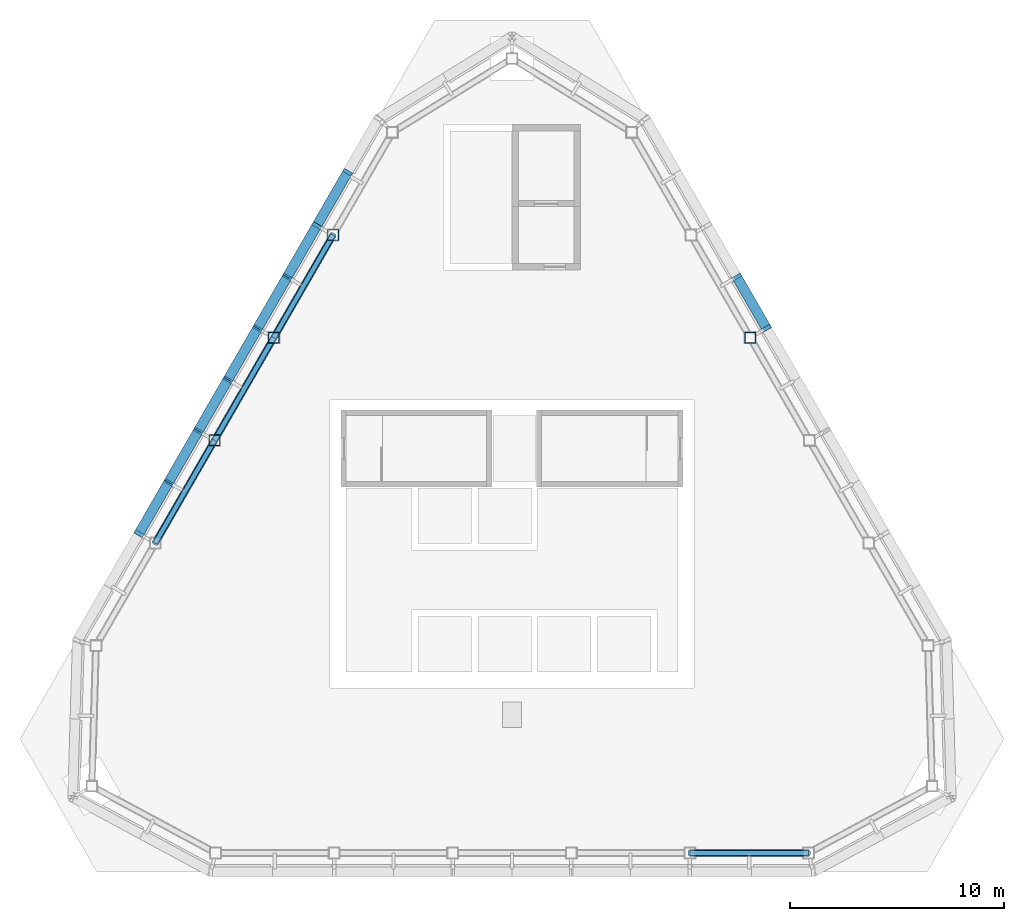
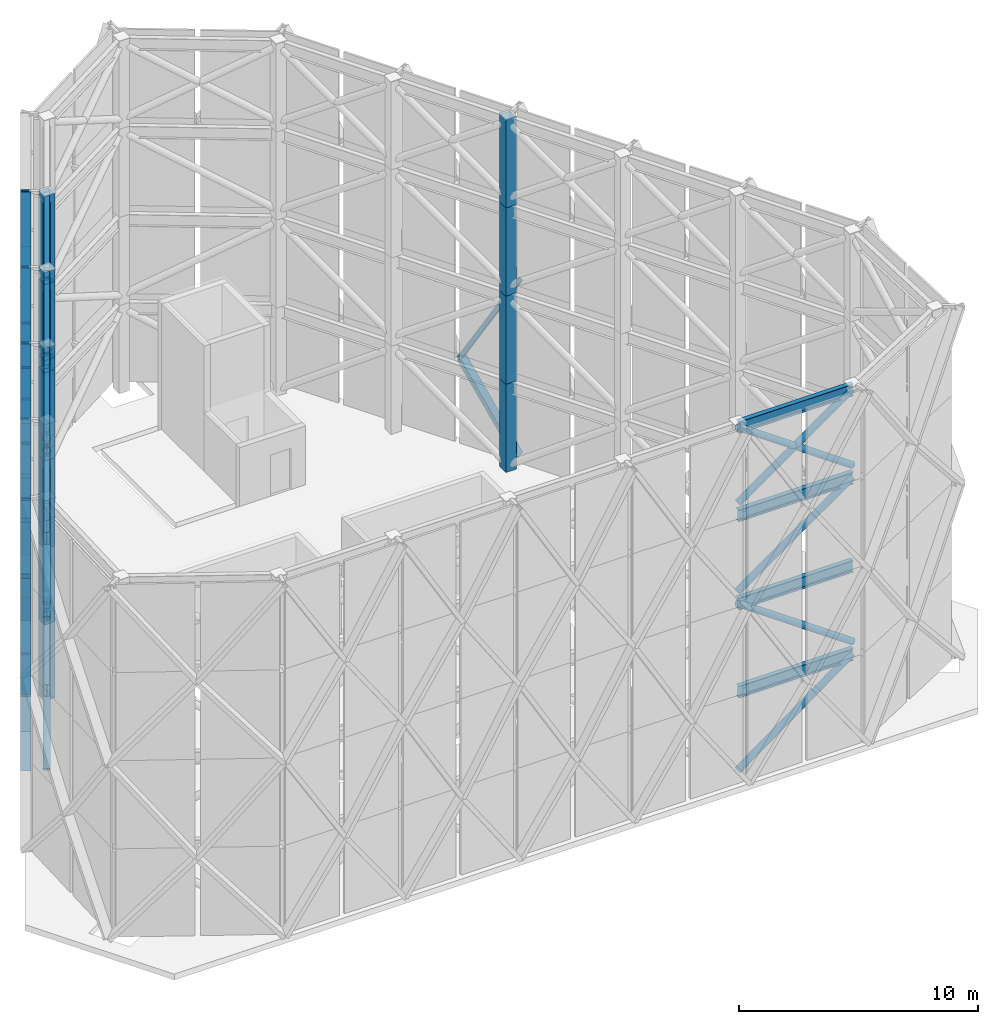
# One storey, part 3 of 12: 66 members, 16 beams.
"""IFC4 building model written with IfcOpenShell, lengths in metres."""

from ifc_helpers import new_model, si_unit, direction, frame, origin, origin_2d, place, context, subcontext, project, spatial, hollow_rectangle, hollow_circle, i_section, extrude, material, material_profile, profile_set, type_object, element, save


model = new_model("IFC4")

# Units and contexts
model_context = context("Model", 3, precision=1e-05, world=origin(), true_north=direction((0.0, 1.0)))
body_context = subcontext(model_context, "Body", "Model", "MODEL_VIEW")
ifc_project = project(units=[si_unit("LENGTHUNIT", "METRE"), si_unit("AREAUNIT", "SQUARE_METRE"), si_unit("VOLUMEUNIT", "CUBIC_METRE"), si_unit("PLANEANGLEUNIT", "RADIAN"), si_unit("MASSUNIT", "GRAM", prefix="KILO")], contexts=[model_context])

# Site, building, storey
site_placement = place(None, origin())
site = spatial("IfcSite", under=ifc_project, at=site_placement, CompositionType="ELEMENT")
building_placement = place(site_placement, origin())
building = spatial("IfcBuilding", under=site, at=building_placement, Name="Firuza Gate Tower and Library", CompositionType="ELEMENT")
storey_placement = place(building_placement, frame((0.0, 0.0, 339.60009765625)))
storey = spatial("IfcBuildingStorey", under=building, at=storey_placement, Name="Roof", CompositionType="ELEMENT", Elevation=339.60009765625)

# Members
ifc_material_1 = material(Name="Steel S355", Category="steel")
ifc_material_profile_1 = material_profile(ifc_material_1, hollow_rectangle(XDim=0.457275390625, YDim=0.203125, WallThickness=0.01171875, at=origin_2d()))
ifc_profile_set_1 = profile_set([ifc_material_profile_1], Name="Steel S355")
member_type_1 = type_object("IfcMemberType", Name="Crown lattice bar HSS203x457x13", PredefinedType="BRACE", material=ifc_profile_set_1)
member_1_placement = place(storey_placement, frame((86.895751953125, 85.068115234375, 0.099853515625), z_axis=(-0.280077823985, 0.485103080972, 0.828390857834), x_axis=(-0.86602275259, -0.500004591975, 0.0)))
element("IfcMember", 1, at=member_1_placement, inside=storey, type_object=member_type_1, Name="Crown lattice bar 13.1a", PredefinedType="BRACE", context=body_context, shape_type="SweptSolid", body=[
    extrude(hollow_rectangle(XDim=0.457275390625, YDim=0.203125, WallThickness=0.01171875, at=origin_2d()), origin(), (0.0, 0.0, 1.0), 4.94775390625),
])
member_2_placement = place(storey_placement, frame((86.895751953125, 85.068115234375, 9.0), z_axis=(-0.249955196291, 0.432929798228, -0.866079782499), x_axis=(-0.86602275259, -0.500004591975, 0.0)))
element("IfcMember", 2, at=member_2_placement, inside=storey, type_object=member_type_1, Name="Crown lattice bar 13.2a", PredefinedType="BRACE", context=body_context, shape_type="SweptSolid", body=[
    extrude(hollow_rectangle(XDim=0.457275390625, YDim=0.203125, WallThickness=0.01171875, at=origin_2d()), origin(), (0.0, 0.0, 1.0), 5.5439453125),
])
member_3_placement = place(storey_placement, frame((67.31689453125, 92.364501953125, 4.198486328125), z_axis=(-0.287622027122, -0.498161545874, -0.817990613471), x_axis=(0.866019137337, -0.500010853648, 0.0)))
element("IfcMember", 3, at=member_3_placement, inside=storey, type_object=member_type_1, Name="Crown lattice bar 17.1b", PredefinedType="BRACE", context=body_context, shape_type="SweptSolid", body=[
    extrude(hollow_rectangle(XDim=0.457275390625, YDim=0.203125, WallThickness=0.01171875, at=origin_2d()), origin(), (0.0, 0.0, 1.0), 5.010498046875),
])
member_4_placement = place(storey_placement, frame((67.31689453125, 92.364501953125, 4.198486328125), z_axis=(-0.257342311156, -0.445717057303, 0.85738628384), x_axis=(0.866019137337, -0.500010853648, 0.0)))
element("IfcMember", 4, at=member_4_placement, inside=storey, type_object=member_type_1, Name="Crown lattice bar 17.2b", PredefinedType="BRACE", context=body_context, shape_type="SweptSolid", body=[
    extrude(hollow_rectangle(XDim=0.457275390625, YDim=0.203125, WallThickness=0.01171875, at=origin_2d()), origin(), (0.0, 0.0, 1.0), 5.60009765625),
])
member_5_placement = place(storey_placement, frame((67.31689453125, 92.364501953125, 13.198486328125), z_axis=(-0.282990630091, -0.490139963079, -0.82442654001), x_axis=(0.866019137337, -0.500010853648, 0.0)))
element("IfcMember", 5, at=member_5_placement, inside=storey, type_object=member_type_1, Name="Crown lattice bar 17.3b", PredefinedType="BRACE", context=body_context, shape_type="SweptSolid", body=[
    extrude(hollow_rectangle(XDim=0.457275390625, YDim=0.203125, WallThickness=0.01171875, at=origin_2d()), origin(), (0.0, 0.0, 1.0), 5.092529296875),
])
member_6_placement = place(storey_placement, frame((67.31689453125, 92.364501953125, 13.198486328125), z_axis=(-0.257342311156, -0.445717057303, 0.85738628384), x_axis=(0.866019137337, -0.500010853648, 0.0)))
element("IfcMember", 6, at=member_6_placement, inside=storey, type_object=member_type_1, Name="Crown lattice bar 17.4b", PredefinedType="BRACE", context=body_context, shape_type="SweptSolid", body=[
    extrude(hollow_rectangle(XDim=0.457275390625, YDim=0.203125, WallThickness=0.01171875, at=origin_2d()), origin(), (0.0, 0.0, 1.0), 5.60009765625),
])
for number, where, z_axis, x_axis, name in (
    (7, (65.875732421875, 89.868408203125, 0.099853515625), (-0.280077823985, -0.485103080972, 0.828390857834), (0.86602275259, -0.500004591975, 0.0), "Crown lattice bar 18.1a"),
    (8, (64.489990234375, 87.46826171875, 4.198486328125), (-0.280077823985, -0.485103080972, -0.828390857834), (0.86602275259, -0.500004591975, 0.0), "Crown lattice bar 18.1b"),
):
    element("IfcMember", number, at=place(storey_placement, frame(where, z_axis=z_axis, x_axis=x_axis)), inside=storey, type_object=member_type_1, Name=name, PredefinedType="BRACE", context=body_context, shape_type="SweptSolid", body=[
        extrude(hollow_rectangle(XDim=0.457275390625, YDim=0.203125, WallThickness=0.01171875, at=origin_2d()), origin(), (0.0, 0.0, 1.0), 4.94775390625),
    ])
for number, where, z_axis, x_axis, name in (
    (9, (65.875732421875, 89.868408203125, 9.0), (-0.249955196291, -0.432929798228, -0.866079782499), (0.86602275259, -0.500004591975, 0.0), "Crown lattice bar 18.2a"),
    (10, (64.489990234375, 87.46826171875, 4.198486328125), (-0.249955196291, -0.432929798228, 0.866079782499), (0.86602275259, -0.500004591975, 0.0), "Crown lattice bar 18.2b"),
):
    element("IfcMember", number, at=place(storey_placement, frame(where, z_axis=z_axis, x_axis=x_axis)), inside=storey, type_object=member_type_1, Name=name, PredefinedType="BRACE", context=body_context, shape_type="SweptSolid", body=[
        extrude(hollow_rectangle(XDim=0.457275390625, YDim=0.203125, WallThickness=0.01171875, at=origin_2d()), origin(), (0.0, 0.0, 1.0), 5.5439453125),
    ])
for number, where, z_axis, x_axis, name in (
    (11, (65.875732421875, 89.868408203125, 9.0), (-0.275455337483, -0.477096797533, 0.834567554387), (0.86602275259, -0.500004591975, 0.0), "Crown lattice bar 18.3a"),
    (12, (64.489990234375, 87.46826171875, 13.198486328125), (-0.275455337483, -0.477096797533, -0.834567554387), (0.86602275259, -0.500004591975, 0.0), "Crown lattice bar 18.3b"),
):
    element("IfcMember", number, at=place(storey_placement, frame(where, z_axis=z_axis, x_axis=x_axis)), inside=storey, type_object=member_type_1, Name=name, PredefinedType="BRACE", context=body_context, shape_type="SweptSolid", body=[
        extrude(hollow_rectangle(XDim=0.457275390625, YDim=0.203125, WallThickness=0.01171875, at=origin_2d()), origin(), (0.0, 0.0, 1.0), 5.03076171875),
    ])
for number, where, z_axis, x_axis, name in (
    (13, (65.875732421875, 89.868408203125, 18.0), (-0.249955196291, -0.432929798228, -0.866079782499), (0.86602275259, -0.500004591975, 0.0), "Crown lattice bar 18.4a"),
    (14, (64.489990234375, 87.46826171875, 13.198486328125), (-0.249955196291, -0.432929798228, 0.866079782499), (0.86602275259, -0.500004591975, 0.0), "Crown lattice bar 18.4b"),
):
    element("IfcMember", number, at=place(storey_placement, frame(where, z_axis=z_axis, x_axis=x_axis)), inside=storey, type_object=member_type_1, Name=name, PredefinedType="BRACE", context=body_context, shape_type="SweptSolid", body=[
        extrude(hollow_rectangle(XDim=0.457275390625, YDim=0.203125, WallThickness=0.01171875, at=origin_2d()), origin(), (0.0, 0.0, 1.0), 5.5439453125),
    ])
for number, where, z_axis, x_axis, name in (
    (15, (63.104248046875, 85.068115234375, 0.099853515625), (-0.280077823985, -0.485103080972, 0.828390857834), (0.86602275259, -0.500004591975, 0.0), "Crown lattice bar 19.1a"),
    (16, (61.718505859375, 82.66796875, 4.198486328125), (-0.280077823985, -0.485103080972, -0.828390857834), (0.86602275259, -0.500004591975, 0.0), "Crown lattice bar 19.1b"),
):
    element("IfcMember", number, at=place(storey_placement, frame(where, z_axis=z_axis, x_axis=x_axis)), inside=storey, type_object=member_type_1, Name=name, PredefinedType="BRACE", context=body_context, shape_type="SweptSolid", body=[
        extrude(hollow_rectangle(XDim=0.457275390625, YDim=0.203125, WallThickness=0.01171875, at=origin_2d()), origin(), (0.0, 0.0, 1.0), 4.94775390625),
    ])
for number, where, z_axis, x_axis, name in (
    (17, (63.104248046875, 85.068115234375, 9.0), (-0.249955196291, -0.432929798228, -0.866079782499), (0.86602275259, -0.500004591975, 0.0), "Crown lattice bar 19.2a"),
    (18, (61.718505859375, 82.66796875, 4.198486328125), (-0.249955196291, -0.432929798228, 0.866079782499), (0.86602275259, -0.500004591975, 0.0), "Crown lattice bar 19.2b"),
):
    element("IfcMember", number, at=place(storey_placement, frame(where, z_axis=z_axis, x_axis=x_axis)), inside=storey, type_object=member_type_1, Name=name, PredefinedType="BRACE", context=body_context, shape_type="SweptSolid", body=[
        extrude(hollow_rectangle(XDim=0.457275390625, YDim=0.203125, WallThickness=0.01171875, at=origin_2d()), origin(), (0.0, 0.0, 1.0), 5.5439453125),
    ])
for number, where, z_axis, x_axis, name in (
    (19, (63.104248046875, 85.068115234375, 9.0), (-0.275455337483, -0.477096797533, 0.834567554387), (0.86602275259, -0.500004591975, 0.0), "Crown lattice bar 19.3a"),
    (20, (61.718505859375, 82.66796875, 13.198486328125), (-0.275455337483, -0.477096797533, -0.834567554387), (0.86602275259, -0.500004591975, 0.0), "Crown lattice bar 19.3b"),
):
    element("IfcMember", number, at=place(storey_placement, frame(where, z_axis=z_axis, x_axis=x_axis)), inside=storey, type_object=member_type_1, Name=name, PredefinedType="BRACE", context=body_context, shape_type="SweptSolid", body=[
        extrude(hollow_rectangle(XDim=0.457275390625, YDim=0.203125, WallThickness=0.01171875, at=origin_2d()), origin(), (0.0, 0.0, 1.0), 5.03076171875),
    ])
for number, where, z_axis, x_axis, name in (
    (21, (63.104248046875, 85.068115234375, 18.0), (-0.249955196291, -0.432929798228, -0.866079782499), (0.86602275259, -0.500004591975, 0.0), "Crown lattice bar 19.4a"),
    (22, (61.718505859375, 82.66796875, 13.198486328125), (-0.249955196291, -0.432929798228, 0.866079782499), (0.86602275259, -0.500004591975, 0.0), "Crown lattice bar 19.4b"),
):
    element("IfcMember", number, at=place(storey_placement, frame(where, z_axis=z_axis, x_axis=x_axis)), inside=storey, type_object=member_type_1, Name=name, PredefinedType="BRACE", context=body_context, shape_type="SweptSolid", body=[
        extrude(hollow_rectangle(XDim=0.457275390625, YDim=0.203125, WallThickness=0.01171875, at=origin_2d()), origin(), (0.0, 0.0, 1.0), 5.5439453125),
    ])
member_7_placement = place(storey_placement, frame((60.332763671875, 80.267822265625, 0.099853515625), z_axis=(-0.280084528118, -0.485065347322, 0.828410686759), x_axis=(0.866000726912, -0.500042739161, 0.0)))
element("IfcMember", 23, at=member_7_placement, inside=storey, type_object=member_type_1, Name="Crown lattice bar 20.1a", PredefinedType="BRACE", context=body_context, shape_type="SweptSolid", body=[
    extrude(hollow_rectangle(XDim=0.457275390625, YDim=0.203125, WallThickness=0.01171875, at=origin_2d()), origin(), (0.0, 0.0, 1.0), 4.947509765625),
])
member_8_placement = place(storey_placement, frame((58.947021484375, 77.867919921875, 4.198486328125), z_axis=(-0.280077823985, -0.485103080972, -0.828390857834), x_axis=(0.86602275259, -0.500004591975, 0.0)))
element("IfcMember", 24, at=member_8_placement, inside=storey, type_object=member_type_1, Name="Crown lattice bar 20.1b", PredefinedType="BRACE", context=body_context, shape_type="SweptSolid", body=[
    extrude(hollow_rectangle(XDim=0.457275390625, YDim=0.203125, WallThickness=0.01171875, at=origin_2d()), origin(), (0.0, 0.0, 1.0), 4.94775390625),
])
for number, where, z_axis, x_axis, name in (
    (25, (60.332763671875, 80.267822265625, 9.0), (-0.249959961586, -0.432894013811, -0.86609629396), (0.866000726912, -0.500042739161, 0.0), "Crown lattice bar 20.2a"),
    (26, (58.947021484375, 77.867919921875, 4.198486328125), (-0.249955196291, -0.432929798228, 0.866079782499), (0.86602275259, -0.500004591975, 0.0), "Crown lattice bar 20.2b"),
):
    element("IfcMember", number, at=place(storey_placement, frame(where, z_axis=z_axis, x_axis=x_axis)), inside=storey, type_object=member_type_1, Name=name, PredefinedType="BRACE", context=body_context, shape_type="SweptSolid", body=[
        extrude(hollow_rectangle(XDim=0.457275390625, YDim=0.203125, WallThickness=0.01171875, at=origin_2d()), origin(), (0.0, 0.0, 1.0), 5.5439453125),
    ])
member_9_placement = place(storey_placement, frame((60.332763671875, 80.267822265625, 9.0), z_axis=(-0.275461715116, -0.477059312824, 0.834586877175), x_axis=(0.866000726912, -0.500042739161, 0.0)))
element("IfcMember", 27, at=member_9_placement, inside=storey, type_object=member_type_1, Name="Crown lattice bar 20.3a", PredefinedType="BRACE", context=body_context, shape_type="SweptSolid", body=[
    extrude(hollow_rectangle(XDim=0.457275390625, YDim=0.203125, WallThickness=0.01171875, at=origin_2d()), origin(), (0.0, 0.0, 1.0), 5.030517578125),
])
member_10_placement = place(storey_placement, frame((58.947021484375, 77.867919921875, 13.198486328125), z_axis=(-0.275455337483, -0.477096797533, -0.834567554387), x_axis=(0.86602275259, -0.500004591975, 0.0)))
element("IfcMember", 28, at=member_10_placement, inside=storey, type_object=member_type_1, Name="Crown lattice bar 20.3b", PredefinedType="BRACE", context=body_context, shape_type="SweptSolid", body=[
    extrude(hollow_rectangle(XDim=0.457275390625, YDim=0.203125, WallThickness=0.01171875, at=origin_2d()), origin(), (0.0, 0.0, 1.0), 5.03076171875),
])
for number, where, z_axis, x_axis, name in (
    (29, (60.332763671875, 80.267822265625, 18.0), (-0.249959961586, -0.432894013811, -0.86609629396), (0.866000726912, -0.500042739161, 0.0), "Crown lattice bar 20.4a"),
    (30, (58.947021484375, 77.867919921875, 13.198486328125), (-0.249955196291, -0.432929798228, 0.866079782499), (0.86602275259, -0.500004591975, 0.0), "Crown lattice bar 20.4b"),
):
    element("IfcMember", number, at=place(storey_placement, frame(where, z_axis=z_axis, x_axis=x_axis)), inside=storey, type_object=member_type_1, Name=name, PredefinedType="BRACE", context=body_context, shape_type="SweptSolid", body=[
        extrude(hollow_rectangle(XDim=0.457275390625, YDim=0.203125, WallThickness=0.01171875, at=origin_2d()), origin(), (0.0, 0.0, 1.0), 5.5439453125),
    ])
ifc_material_2 = material(Name="Steel S355", Category="steel")
ifc_material_profile_2 = material_profile(ifc_material_2, hollow_circle(Radius=0.161865234375, WallThickness=0.01171875, at=origin_2d()))
ifc_profile_set_2 = profile_set([ifc_material_profile_2], Name="Steel S355")
member_type_2 = type_object("IfcMemberType", Name="HSS324x13 CROWN FRAME brace", PredefinedType="BRACE", material=ifc_profile_set_2)
for number, where, z_axis, x_axis, name in (
    (31, (83.314208984375, 60.54248046875, 0.161865234375), (0.808363326322, 0.0, 0.588683898758), (0.0, 1.0, 0.0), "CROWN FRAME brace tier 1 7"),
    (32, (63.865234375, 84.62890625, 0.161865234375), (0.404154299995, 0.700068879086, 0.588695903103), (-0.866041824761, 0.499971556956, 0.0), "CROWN FRAME brace tier 1 18"),
    (33, (63.865234375, 84.62890625, 0.161865234375), (-0.40418408875, -0.700058804881, 0.588687431589), (0.86602275259, -0.500004591975, 0.0), "CROWN FRAME brace tier 1 19"),
    (34, (58.322265625, 75.0283203125, 0.161865234375), (0.40418408875, 0.700058804881, 0.588687431589), (-0.86602275259, 0.500004591975, 0.0), "CROWN FRAME brace tier 1 20"),
):
    element("IfcMember", number, at=place(storey_placement, frame(where, z_axis=z_axis, x_axis=x_axis)), inside=storey, type_object=member_type_2, Name=name, PredefinedType="BRACE", context=body_context, shape_type="SweptSolid", body=[
        extrude(hollow_circle(Radius=0.161865234375, WallThickness=0.01171875, at=origin_2d()), origin(), (0.0, 0.0, 1.0), 6.85693359375),
    ])
member_11_placement = place(storey_placement, frame((88.857177734375, 60.54248046875, 4.801513671875), z_axis=(-0.818058825437, 0.0, 0.575134556538), x_axis=(0.0, -1.0, 0.0)))
element("IfcMember", 35, at=member_11_placement, inside=storey, type_object=member_type_2, Name="CROWN FRAME brace tier 2 7", PredefinedType="BRACE", context=body_context, shape_type="SweptSolid", body=[
    extrude(hollow_circle(Radius=0.161865234375, WallThickness=0.01171875, at=origin_2d()), origin(), (0.0, 0.0, 1.0), 6.77587890625),
])
for number, where, z_axis, x_axis, name in (
    (36, (66.636474609375, 89.42919921875, 4.801513671875), (-0.409001922628, -0.708465844658, 0.575146567615), (0.866041824761, -0.499971556956, 0.0), "CROWN FRAME brace tier 2 18"),
    (37, (61.09375, 79.82861328125, 4.801513671875), (0.409031926637, 0.708455403588, 0.575138091347), (-0.86602275259, 0.500004591975, 0.0), "CROWN FRAME brace tier 2 19"),
    (38, (61.09375, 79.82861328125, 4.801513671875), (-0.409031926637, -0.708455403588, 0.575138091347), (0.86602275259, -0.500004591975, 0.0), "CROWN FRAME brace tier 2 20"),
):
    element("IfcMember", number, at=place(storey_placement, frame(where, z_axis=z_axis, x_axis=x_axis)), inside=storey, type_object=member_type_2, Name=name, PredefinedType="BRACE", context=body_context, shape_type="SweptSolid", body=[
        extrude(hollow_circle(Radius=0.161865234375, WallThickness=0.01171875, at=origin_2d()), origin(), (0.0, 0.0, 1.0), 6.775634765625),
    ])
member_12_placement = place(storey_placement, frame((83.314208984375, 60.54248046875, 9.301513671875), z_axis=(0.818058825437, 0.0, 0.575134556538), x_axis=(0.0, 1.0, 0.0)))
element("IfcMember", 39, at=member_12_placement, inside=storey, type_object=member_type_2, Name="CROWN FRAME brace tier 3 7", PredefinedType="BRACE", context=body_context, shape_type="SweptSolid", body=[
    extrude(hollow_circle(Radius=0.161865234375, WallThickness=0.01171875, at=origin_2d()), origin(), (0.0, 0.0, 1.0), 6.77587890625),
])
for number, where, z_axis, x_axis, name in (
    (40, (63.865234375, 84.62890625, 9.301513671875), (0.409001922628, 0.708465844658, 0.575146567615), (-0.866041824761, 0.499971556956, 0.0), "CROWN FRAME brace tier 3 18"),
    (41, (63.865234375, 84.62890625, 9.301513671875), (-0.409031926637, -0.708455403588, 0.575138091347), (0.86602275259, -0.500004591975, 0.0), "CROWN FRAME brace tier 3 19"),
    (42, (58.322265625, 75.0283203125, 9.301513671875), (0.409031926637, 0.708455403588, 0.575138091347), (-0.86602275259, 0.500004591975, 0.0), "CROWN FRAME brace tier 3 20"),
):
    element("IfcMember", number, at=place(storey_placement, frame(where, z_axis=z_axis, x_axis=x_axis)), inside=storey, type_object=member_type_2, Name=name, PredefinedType="BRACE", context=body_context, shape_type="SweptSolid", body=[
        extrude(hollow_circle(Radius=0.161865234375, WallThickness=0.01171875, at=origin_2d()), origin(), (0.0, 0.0, 1.0), 6.775634765625),
    ])
for number, where, z_axis, x_axis, name in (
    (43, (88.857177734375, 60.54248046875, 13.801513671875), (-0.818058825437, 0.0, 0.575134556538), (0.0, -1.0, 0.0), "CROWN FRAME brace tier 4 7"),
    (44, (83.314208984375, 60.54248046875, 13.801513671875), (0.818058825437, 0.0, 0.575134556538), (0.0, 1.0, 0.0), "CROWN FRAME counter brace tier 4 7"),
):
    element("IfcMember", number, at=place(storey_placement, frame(where, z_axis=z_axis, x_axis=x_axis)), inside=storey, type_object=member_type_2, Name=name, PredefinedType="BRACE", context=body_context, shape_type="SweptSolid", body=[
        extrude(hollow_circle(Radius=0.161865234375, WallThickness=0.01171875, at=origin_2d()), origin(), (0.0, 0.0, 1.0), 6.77587890625),
    ])
for number, where, z_axis, x_axis, name in (
    (45, (66.636474609375, 89.42919921875, 13.801513671875), (-0.409001922628, -0.708465844658, 0.575146567615), (0.866041824761, -0.499971556956, 0.0), "CROWN FRAME brace tier 4 18"),
    (46, (63.865234375, 84.62890625, 13.801513671875), (0.409001922628, 0.708465844658, 0.575146567615), (-0.866041824761, 0.499971556956, 0.0), "CROWN FRAME counter brace tier 4 18"),
    (47, (61.09375, 79.82861328125, 13.801513671875), (0.409031926637, 0.708455403588, 0.575138091347), (-0.86602275259, 0.500004591975, 0.0), "CROWN FRAME brace tier 4 19"),
    (48, (63.865234375, 84.62890625, 13.801513671875), (-0.409031926637, -0.708455403588, 0.575138091347), (0.86602275259, -0.500004591975, 0.0), "CROWN FRAME counter brace tier 4 19"),
    (49, (61.09375, 79.82861328125, 13.801513671875), (-0.409031926637, -0.708455403588, 0.575138091347), (0.86602275259, -0.500004591975, 0.0), "CROWN FRAME brace tier 4 20"),
    (50, (58.322265625, 75.0283203125, 13.801513671875), (0.409031926637, 0.708455403588, 0.575138091347), (-0.86602275259, 0.500004591975, 0.0), "CROWN FRAME counter brace tier 4 20"),
):
    element("IfcMember", number, at=place(storey_placement, frame(where, z_axis=z_axis, x_axis=x_axis)), inside=storey, type_object=member_type_2, Name=name, PredefinedType="BRACE", context=body_context, shape_type="SweptSolid", body=[
        extrude(hollow_circle(Radius=0.161865234375, WallThickness=0.01171875, at=origin_2d()), origin(), (0.0, 0.0, 1.0), 6.775634765625),
    ])
ifc_material_3 = material(Name="Steel S355", Category="steel")
ifc_material_profile_3 = material_profile(ifc_material_3, hollow_rectangle(XDim=0.508056640625, YDim=0.508056640625, WallThickness=0.014892578125, at=origin_2d()))
ifc_profile_set_3 = profile_set([ifc_material_profile_3], Name="Steel S355")
member_type_3 = type_object("IfcMemberType", Name="HSS508x508x16 CROWN FRAME post", PredefinedType="POST", material=ifc_profile_set_3)
member_13_placement = place(storey_placement, frame((86.134765625, 84.62890625, -0.00048828125), z_axis=(0.0, 0.0, 1.0), x_axis=(1.0, 0.0, 0.0)))
element("IfcMember", 51, at=member_13_placement, inside=storey, type_object=member_type_3, Name="CROWN FRAME post E4 tier 1", PredefinedType="POST", context=body_context, shape_type="SweptSolid", body=[
    extrude(hollow_rectangle(XDim=0.508056640625, YDim=0.508056640625, WallThickness=0.014892578125, at=origin_2d()), origin(), (0.0, 0.0, 1.0), 4.50048828125),
])
for number, where, z_axis, x_axis, name in (
    (52, (86.134765625, 84.62890625, 4.5), (0.0, 0.0, 1.0), (1.0, 0.0, 0.0), "CROWN FRAME post E4 tier 2"),
    (53, (86.134765625, 84.62890625, 9.0), (0.0, 0.0, 1.0), (1.0, 0.0, 0.0), "CROWN FRAME post E4 tier 3"),
    (54, (86.134765625, 84.62890625, 13.5), (0.0, 0.0, 1.0), (1.0, 0.0, 0.0), "CROWN FRAME post E4 tier 4"),
):
    element("IfcMember", number, at=place(storey_placement, frame(where, z_axis=z_axis, x_axis=x_axis)), inside=storey, type_object=member_type_3, Name=name, PredefinedType="POST", context=body_context, shape_type="SweptSolid", body=[
        extrude(hollow_rectangle(XDim=0.508056640625, YDim=0.508056640625, WallThickness=0.014892578125, at=origin_2d()), origin(), (0.0, 0.0, 1.0), 4.5),
    ])
member_14_placement = place(storey_placement, frame((66.636474609375, 89.42919921875, -0.00048828125), z_axis=(0.0, 0.0, 1.0), x_axis=(1.0, 0.0, 0.0)))
element("IfcMember", 55, at=member_14_placement, inside=storey, type_object=member_type_3, Name="CROWN FRAME post W2 tier 1", PredefinedType="POST", context=body_context, shape_type="SweptSolid", body=[
    extrude(hollow_rectangle(XDim=0.508056640625, YDim=0.508056640625, WallThickness=0.014892578125, at=origin_2d()), origin(), (0.0, 0.0, 1.0), 4.50048828125),
])
for number, where, z_axis, x_axis, name in (
    (56, (66.636474609375, 89.42919921875, 4.5), (0.0, 0.0, 1.0), (1.0, 0.0, 0.0), "CROWN FRAME post W2 tier 2"),
    (57, (66.636474609375, 89.42919921875, 9.0), (0.0, 0.0, 1.0), (1.0, 0.0, 0.0), "CROWN FRAME post W2 tier 3"),
    (58, (66.636474609375, 89.42919921875, 13.5), (0.0, 0.0, 1.0), (1.0, 0.0, 0.0), "CROWN FRAME post W2 tier 4"),
):
    element("IfcMember", number, at=place(storey_placement, frame(where, z_axis=z_axis, x_axis=x_axis)), inside=storey, type_object=member_type_3, Name=name, PredefinedType="POST", context=body_context, shape_type="SweptSolid", body=[
        extrude(hollow_rectangle(XDim=0.508056640625, YDim=0.508056640625, WallThickness=0.014892578125, at=origin_2d()), origin(), (0.0, 0.0, 1.0), 4.5),
    ])
member_15_placement = place(storey_placement, frame((63.865234375, 84.62890625, -0.00048828125), z_axis=(0.0, 0.0, 1.0), x_axis=(1.0, 0.0, 0.0)))
element("IfcMember", 59, at=member_15_placement, inside=storey, type_object=member_type_3, Name="CROWN FRAME post W3 tier 1", PredefinedType="POST", context=body_context, shape_type="SweptSolid", body=[
    extrude(hollow_rectangle(XDim=0.508056640625, YDim=0.508056640625, WallThickness=0.014892578125, at=origin_2d()), origin(), (0.0, 0.0, 1.0), 4.50048828125),
])
for number, where, z_axis, x_axis, name in (
    (60, (63.865234375, 84.62890625, 4.5), (0.0, 0.0, 1.0), (1.0, 0.0, 0.0), "CROWN FRAME post W3 tier 2"),
    (61, (63.865234375, 84.62890625, 9.0), (0.0, 0.0, 1.0), (1.0, 0.0, 0.0), "CROWN FRAME post W3 tier 3"),
    (62, (63.865234375, 84.62890625, 13.5), (0.0, 0.0, 1.0), (1.0, 0.0, 0.0), "CROWN FRAME post W3 tier 4"),
):
    element("IfcMember", number, at=place(storey_placement, frame(where, z_axis=z_axis, x_axis=x_axis)), inside=storey, type_object=member_type_3, Name=name, PredefinedType="POST", context=body_context, shape_type="SweptSolid", body=[
        extrude(hollow_rectangle(XDim=0.508056640625, YDim=0.508056640625, WallThickness=0.014892578125, at=origin_2d()), origin(), (0.0, 0.0, 1.0), 4.5),
    ])
member_16_placement = place(storey_placement, frame((61.09375, 79.82861328125, -0.00048828125), z_axis=(0.0, 0.0, 1.0), x_axis=(1.0, 0.0, 0.0)))
element("IfcMember", 63, at=member_16_placement, inside=storey, type_object=member_type_3, Name="CROWN FRAME post W4 tier 1", PredefinedType="POST", context=body_context, shape_type="SweptSolid", body=[
    extrude(hollow_rectangle(XDim=0.508056640625, YDim=0.508056640625, WallThickness=0.014892578125, at=origin_2d()), origin(), (0.0, 0.0, 1.0), 4.50048828125),
])
for number, where, z_axis, x_axis, name in (
    (64, (61.09375, 79.82861328125, 4.5), (0.0, 0.0, 1.0), (1.0, 0.0, 0.0), "CROWN FRAME post W4 tier 2"),
    (65, (61.09375, 79.82861328125, 9.0), (0.0, 0.0, 1.0), (1.0, 0.0, 0.0), "CROWN FRAME post W4 tier 3"),
    (66, (61.09375, 79.82861328125, 13.5), (0.0, 0.0, 1.0), (1.0, 0.0, 0.0), "CROWN FRAME post W4 tier 4"),
):
    element("IfcMember", number, at=place(storey_placement, frame(where, z_axis=z_axis, x_axis=x_axis)), inside=storey, type_object=member_type_3, Name=name, PredefinedType="POST", context=body_context, shape_type="SweptSolid", body=[
        extrude(hollow_rectangle(XDim=0.508056640625, YDim=0.508056640625, WallThickness=0.014892578125, at=origin_2d()), origin(), (0.0, 0.0, 1.0), 4.5),
    ])

# Beams
ifc_material_4 = material(Name="Steel S355", Category="steel")
ifc_material_profile_4 = material_profile(ifc_material_4, i_section(OverallWidth=0.22802734375, OverallDepth=0.60302734375, WebThickness=0.010498046875, FlangeThickness=0.014892578125, at=origin_2d()))
ifc_profile_set_4 = profile_set([ifc_material_profile_4], Name="Steel S355")
beam_type = type_object("IfcBeamType", Name="W610x101 CROWN FRAME ring beam", PredefinedType="BEAM", material=ifc_profile_set_4)
beam_1_placement = place(storey_placement, frame((83.314208984375, 60.54248046875, 4.198486328125), z_axis=(1.0, 0.0, 0.0), x_axis=(0.0, 1.0, 0.0)))
element("IfcBeam", 67, at=beam_1_placement, inside=storey, type_object=beam_type, Name="CROWN FRAME ring beam tier 1 7", PredefinedType="BEAM", context=body_context, shape_type="SweptSolid", body=[
    extrude(i_section(OverallWidth=0.22802734375, OverallDepth=0.60302734375, WebThickness=0.010498046875, FlangeThickness=0.014892578125, at=origin_2d()), origin(), (0.0, 0.0, 1.0), 5.54296875),
])
beam_2_placement = place(storey_placement, frame((66.636474609375, 89.42919921875, 4.198486328125), z_axis=(-0.499971556956, -0.866041824761, 0.0), x_axis=(0.866041824761, -0.499971556956, 0.0)))
element("IfcBeam", 68, at=beam_2_placement, inside=storey, type_object=beam_type, Name="CROWN FRAME ring beam tier 1 18", PredefinedType="BEAM", context=body_context, shape_type="SweptSolid", body=[
    extrude(i_section(OverallWidth=0.22802734375, OverallDepth=0.60302734375, WebThickness=0.010498046875, FlangeThickness=0.014892578125, at=origin_2d()), origin(), (0.0, 0.0, 1.0), 5.542724609375),
])
for number, where, z_axis, x_axis, name in (
    (69, (63.865234375, 84.62890625, 4.198486328125), (-0.500004591975, -0.86602275259, 0.0), (0.86602275259, -0.500004591975, 0.0), "CROWN FRAME ring beam tier 1 19"),
    (70, (61.09375, 79.82861328125, 4.198486328125), (-0.500004591975, -0.86602275259, 0.0), (0.86602275259, -0.500004591975, 0.0), "CROWN FRAME ring beam tier 1 20"),
    (71, (83.314208984375, 60.54248046875, 8.698486328125), (1.0, 0.0, 0.0), (0.0, 1.0, 0.0), "CROWN FRAME ring beam tier 2 7"),
):
    element("IfcBeam", number, at=place(storey_placement, frame(where, z_axis=z_axis, x_axis=x_axis)), inside=storey, type_object=beam_type, Name=name, PredefinedType="BEAM", context=body_context, shape_type="SweptSolid", body=[
        extrude(i_section(OverallWidth=0.22802734375, OverallDepth=0.60302734375, WebThickness=0.010498046875, FlangeThickness=0.014892578125, at=origin_2d()), origin(), (0.0, 0.0, 1.0), 5.54296875),
    ])
beam_3_placement = place(storey_placement, frame((66.636474609375, 89.42919921875, 8.698486328125), z_axis=(-0.499971556956, -0.866041824761, 0.0), x_axis=(0.866041824761, -0.499971556956, 0.0)))
element("IfcBeam", 72, at=beam_3_placement, inside=storey, type_object=beam_type, Name="CROWN FRAME ring beam tier 2 18", PredefinedType="BEAM", context=body_context, shape_type="SweptSolid", body=[
    extrude(i_section(OverallWidth=0.22802734375, OverallDepth=0.60302734375, WebThickness=0.010498046875, FlangeThickness=0.014892578125, at=origin_2d()), origin(), (0.0, 0.0, 1.0), 5.542724609375),
])
for number, where, z_axis, x_axis, name in (
    (73, (63.865234375, 84.62890625, 8.698486328125), (-0.500004591975, -0.86602275259, 0.0), (0.86602275259, -0.500004591975, 0.0), "CROWN FRAME ring beam tier 2 19"),
    (74, (61.09375, 79.82861328125, 8.698486328125), (-0.500004591975, -0.86602275259, 0.0), (0.86602275259, -0.500004591975, 0.0), "CROWN FRAME ring beam tier 2 20"),
    (75, (83.314208984375, 60.54248046875, 13.198486328125), (1.0, 0.0, 0.0), (0.0, 1.0, 0.0), "CROWN FRAME ring beam tier 3 7"),
):
    element("IfcBeam", number, at=place(storey_placement, frame(where, z_axis=z_axis, x_axis=x_axis)), inside=storey, type_object=beam_type, Name=name, PredefinedType="BEAM", context=body_context, shape_type="SweptSolid", body=[
        extrude(i_section(OverallWidth=0.22802734375, OverallDepth=0.60302734375, WebThickness=0.010498046875, FlangeThickness=0.014892578125, at=origin_2d()), origin(), (0.0, 0.0, 1.0), 5.54296875),
    ])
beam_4_placement = place(storey_placement, frame((66.636474609375, 89.42919921875, 13.198486328125), z_axis=(-0.499971556956, -0.866041824761, 0.0), x_axis=(0.866041824761, -0.499971556956, 0.0)))
element("IfcBeam", 76, at=beam_4_placement, inside=storey, type_object=beam_type, Name="CROWN FRAME ring beam tier 3 18", PredefinedType="BEAM", context=body_context, shape_type="SweptSolid", body=[
    extrude(i_section(OverallWidth=0.22802734375, OverallDepth=0.60302734375, WebThickness=0.010498046875, FlangeThickness=0.014892578125, at=origin_2d()), origin(), (0.0, 0.0, 1.0), 5.542724609375),
])
for number, where, z_axis, x_axis, name in (
    (77, (63.865234375, 84.62890625, 13.198486328125), (-0.500004591975, -0.86602275259, 0.0), (0.86602275259, -0.500004591975, 0.0), "CROWN FRAME ring beam tier 3 19"),
    (78, (61.09375, 79.82861328125, 13.198486328125), (-0.500004591975, -0.86602275259, 0.0), (0.86602275259, -0.500004591975, 0.0), "CROWN FRAME ring beam tier 3 20"),
    (79, (83.314208984375, 60.54248046875, 17.698486328125), (1.0, 0.0, 0.0), (0.0, 1.0, 0.0), "CROWN FRAME ring beam tier 4 7"),
):
    element("IfcBeam", number, at=place(storey_placement, frame(where, z_axis=z_axis, x_axis=x_axis)), inside=storey, type_object=beam_type, Name=name, PredefinedType="BEAM", context=body_context, shape_type="SweptSolid", body=[
        extrude(i_section(OverallWidth=0.22802734375, OverallDepth=0.60302734375, WebThickness=0.010498046875, FlangeThickness=0.014892578125, at=origin_2d()), origin(), (0.0, 0.0, 1.0), 5.54296875),
    ])
beam_5_placement = place(storey_placement, frame((66.636474609375, 89.42919921875, 17.698486328125), z_axis=(-0.499971556956, -0.866041824761, 0.0), x_axis=(0.866041824761, -0.499971556956, 0.0)))
element("IfcBeam", 80, at=beam_5_placement, inside=storey, type_object=beam_type, Name="CROWN FRAME ring beam tier 4 18", PredefinedType="BEAM", context=body_context, shape_type="SweptSolid", body=[
    extrude(i_section(OverallWidth=0.22802734375, OverallDepth=0.60302734375, WebThickness=0.010498046875, FlangeThickness=0.014892578125, at=origin_2d()), origin(), (0.0, 0.0, 1.0), 5.542724609375),
])
for number, where, z_axis, x_axis, name in (
    (81, (63.865234375, 84.62890625, 17.698486328125), (-0.500004591975, -0.86602275259, 0.0), (0.86602275259, -0.500004591975, 0.0), "CROWN FRAME ring beam tier 4 19"),
    (82, (61.09375, 79.82861328125, 17.698486328125), (-0.500004591975, -0.86602275259, 0.0), (0.86602275259, -0.500004591975, 0.0), "CROWN FRAME ring beam tier 4 20"),
):
    element("IfcBeam", number, at=place(storey_placement, frame(where, z_axis=z_axis, x_axis=x_axis)), inside=storey, type_object=beam_type, Name=name, PredefinedType="BEAM", context=body_context, shape_type="SweptSolid", body=[
        extrude(i_section(OverallWidth=0.22802734375, OverallDepth=0.60302734375, WebThickness=0.010498046875, FlangeThickness=0.014892578125, at=origin_2d()), origin(), (0.0, 0.0, 1.0), 5.54296875),
    ])

save(model, "model.ifc")
